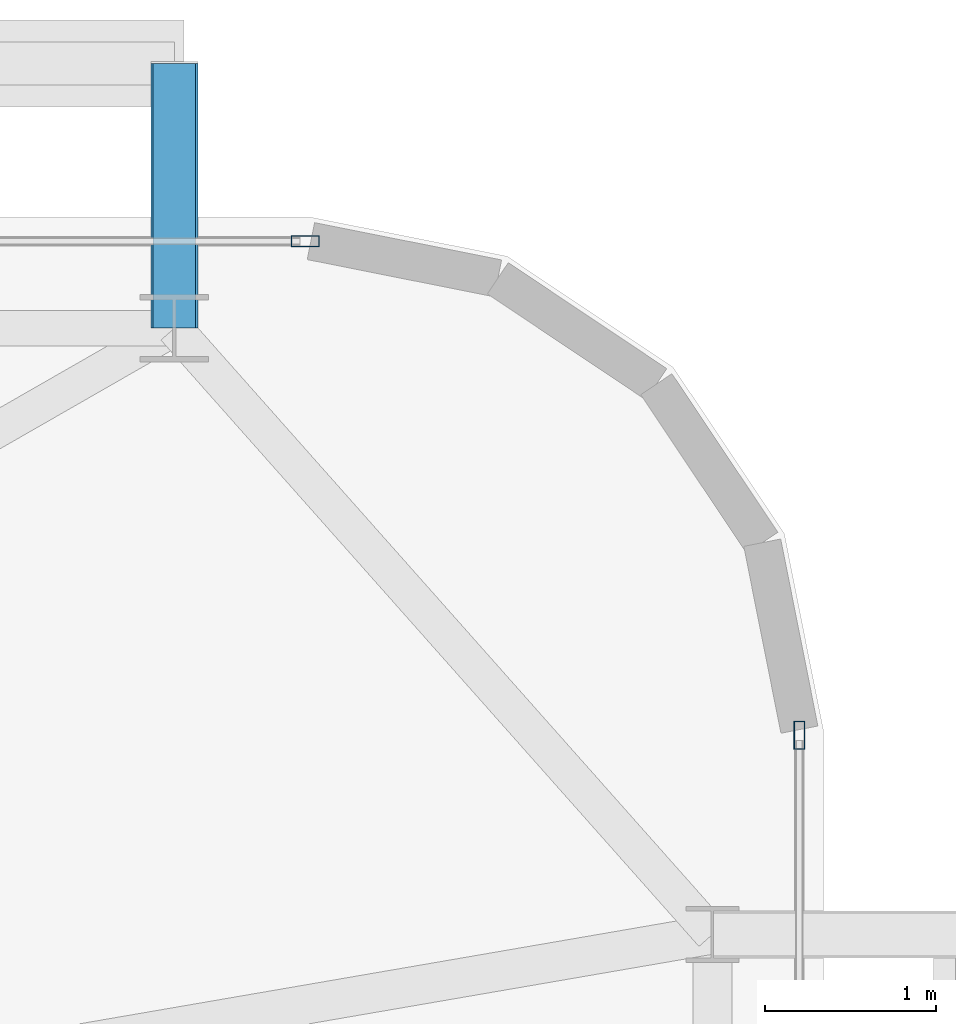
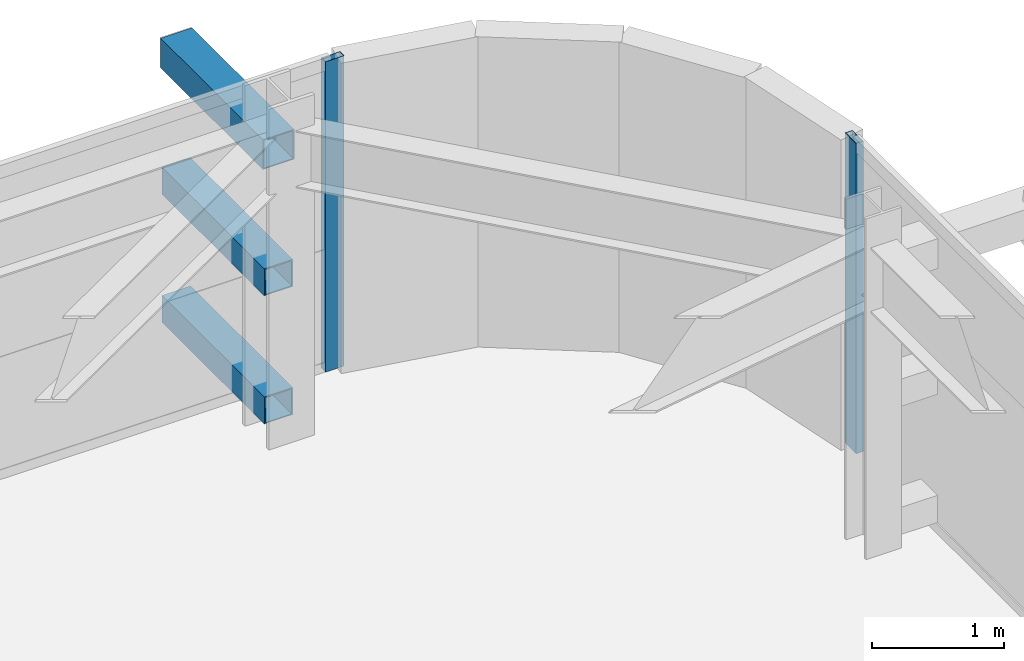
# One storey, part 28 of 45: 5 members, 2 elements without a shape of their own.
"""IFC4 building model written with IfcOpenShell, lengths in metres."""

from ifc_helpers import new_model, si_unit, direction, frame, origin, origin_2d, place, context, subcontext, project, spatial, hollow_rectangle, extrude, source, transform, mapped, material, layer, layer_set, material_profile, profile_set, type_object, element, aggregate, save


model = new_model("IFC4")

# Units and contexts
model_context = context("Model", 3, precision=1e-05, world=origin(), true_north=direction((0.0, 1.0)))
body_context = subcontext(model_context, "Body", "Model", "MODEL_VIEW")
ifc_project = project(units=[si_unit("LENGTHUNIT", "METRE"), si_unit("AREAUNIT", "SQUARE_METRE"), si_unit("VOLUMEUNIT", "CUBIC_METRE"), si_unit("PLANEANGLEUNIT", "RADIAN"), si_unit("MASSUNIT", "GRAM", prefix="KILO")], contexts=[model_context])

# Site, building, storey
site_placement = place(None, origin())
site = spatial("IfcSite", under=ifc_project, at=site_placement, CompositionType="ELEMENT")
building_placement = place(site_placement, origin())
building = spatial("IfcBuilding", under=site, at=building_placement, Name="Taldren Reach Tower", CompositionType="ELEMENT")
storey_placement = place(building_placement, frame((0.0, 0.0, 57.75)))
storey = spatial("IfcBuildingStorey", under=building, at=storey_placement, Name="L17", CompositionType="ELEMENT", Elevation=57.75)

# Members
ifc_material_1 = material(Name="Steel Gr 450 (C450L0)", Category="steel")
ifc_material_profile_1 = material_profile(ifc_material_1, hollow_rectangle(XDim=0.27490234375, YDim=0.27490234375, WallThickness=0.00927734375, at=origin_2d()), Name="275x275x9.3SHS")
ifc_profile_set_1 = profile_set([ifc_material_profile_1], Name="Steel Gr 450 (C450L0)")
member_type_1 = type_object("IfcMemberType", Name="MB-TIE273", PredefinedType="STRUT", material=ifc_profile_set_1)
shared_shape_1 = source(origin(), body_context, "Body", "SweptSolid", [
    extrude(hollow_rectangle(XDim=0.27490234375, YDim=0.27490234375, WallThickness=0.00927734375, at=origin_2d()), origin(), (0.0, 0.0, 1.0), 1.5498046875),
])
member_1_placement = place(storey_placement, frame((61.199951171875, 37.85009765625, 2.590087890625), z_axis=(0.0, 1.0, 0.0), x_axis=(-1.0, 0.0, 0.0)))
element("IfcMember", 1, at=member_1_placement, inside=storey, type_object=member_type_1, Name="Exoskeleton diaphragm tie strut B1-N6 L17", PredefinedType="STRUT", context=body_context, shape_type="MappedRepresentation", body=[
    mapped(shared_shape_1, transform((0.0, 0.0, 0.0), scale=1.0)),
])
ifc_material_2 = material(Name="Steel Gr 350 (C350L0)", Category="steel")
ifc_material_profile_2 = material_profile(ifc_material_2, hollow_rectangle(XDim=0.25, YDim=0.25, WallThickness=0.010009765625, at=origin_2d()), Name="250x250x10.0SHS")
ifc_profile_set_2 = profile_set([ifc_material_profile_2], Name="Steel Gr 350 (C350L0)")
member_type_2 = type_object("IfcMemberType", Name="MB-POST250", PredefinedType="POST", material=ifc_profile_set_2)
shared_shape_2 = source(origin(), body_context, "Body", "SweptSolid", [
    extrude(hollow_rectangle(XDim=0.25, YDim=0.25, WallThickness=0.010009765625, at=origin_2d()), origin(), (0.0, 0.0, 1.0), 1.5498046875),
])
for number, where, z_axis, x_axis, name in (
    (2, (61.199951171875, 37.85009765625, 0.219970703125), (0.0, 1.0, 0.0), (-1.0, 0.0, 0.0), "Exoskeleton base diaphragm tie strut B1-N6 L17"),
    (3, (61.199951171875, 37.85009765625, 1.405029296875), (0.0, 1.0, 0.0), (-1.0, 0.0, 0.0), "Exoskeleton mid-tier diaphragm tie B1-N6 L17"),
):
    element("IfcMember", number, at=place(storey_placement, frame(where, z_axis=z_axis, x_axis=x_axis)), inside=storey, type_object=member_type_2, Name=name, PredefinedType="POST", context=body_context, shape_type="MappedRepresentation", body=[
        mapped(shared_shape_2, transform((0.0, 0.0, 0.0), scale=1.0)),
    ])

# Curtain wall, member
ifc_material_3 = material(Name="Aluminium and Low-E Glass Unitised System", Category="aluminium")
ifc_layer = layer(ifc_material_3, 0.159912109375)
ifc_layer_set = layer_set([ifc_layer], Name="Aluminium and Low-E Glass Unitised System")
curtain_wall_type = type_object("IfcCurtainWallType", Name="CW-SYS-2", PredefinedType="NOTDEFINED", material=ifc_layer_set)
curtain_wall_1_placement = place(storey_placement, origin())
curtain_wall_1 = element("IfcCurtainWall", 4, at=curtain_wall_1_placement, inside=storey, type_object=curtain_wall_type, Name="Unitised curtain wall CW-L17-N", PredefinedType="NOTDEFINED")
ifc_material_4 = material(Name="Anodised Aluminium 6063-T6", Category="aluminium")
ifc_material_profile_3 = material_profile(ifc_material_4, hollow_rectangle(XDim=0.06494140625, YDim=0.1650390625, WallThickness=0.00390625, at=origin_2d()), Name="ALU-165x65x4RHS")
ifc_profile_set_3 = profile_set([ifc_material_profile_3], Name="Anodised Aluminium 6063-T6")
member_type_3 = type_object("IfcMemberType", Name="CW-MUL-165", PredefinedType="MULLION", material=ifc_profile_set_3)
shared_shape_3 = source(origin(), body_context, "Body", "SweptSolid", [
    extrude(hollow_rectangle(XDim=0.06494140625, YDim=0.1650390625, WallThickness=0.00390625, at=origin_2d()), origin(), (0.0, 0.0, 1.0), 2.8701171875),
])
member_2_placement = place(storey_placement, frame((61.967529296875, 38.360107421875, 0.0), z_axis=(0.0, 0.0, 1.0), x_axis=(0.0, -1.0, 0.0)))
member_2 = element("IfcMember", 5, at=member_2_placement, type_object=member_type_3, Name="CW-2 mullion 1", PredefinedType="MULLION", context=body_context, shape_type="MappedRepresentation", body=[
    mapped(shared_shape_3, transform((0.0, 0.0, 0.0), scale=1.0)),
])
aggregate(curtain_wall_1, [member_2])

curtain_wall_2_placement = place(storey_placement, origin())
curtain_wall_2 = element("IfcCurtainWall", 6, at=curtain_wall_2_placement, inside=storey, type_object=curtain_wall_type, Name="Unitised curtain wall CW-L17-E", PredefinedType="NOTDEFINED")
member_3_placement = place(storey_placement, frame((64.860107421875, 35.467529296875, 0.0), z_axis=(0.0, 0.0, 1.0), x_axis=(-1.0, 0.0, 0.0)))
member_3 = element("IfcMember", 7, at=member_3_placement, type_object=member_type_3, Name="CW-2 mullion 4", PredefinedType="MULLION", context=body_context, shape_type="MappedRepresentation", body=[
    mapped(shared_shape_3, transform((0.0, 0.0, 0.0), scale=1.0)),
])
aggregate(curtain_wall_2, [member_3])

save(model, "model.ifc")
